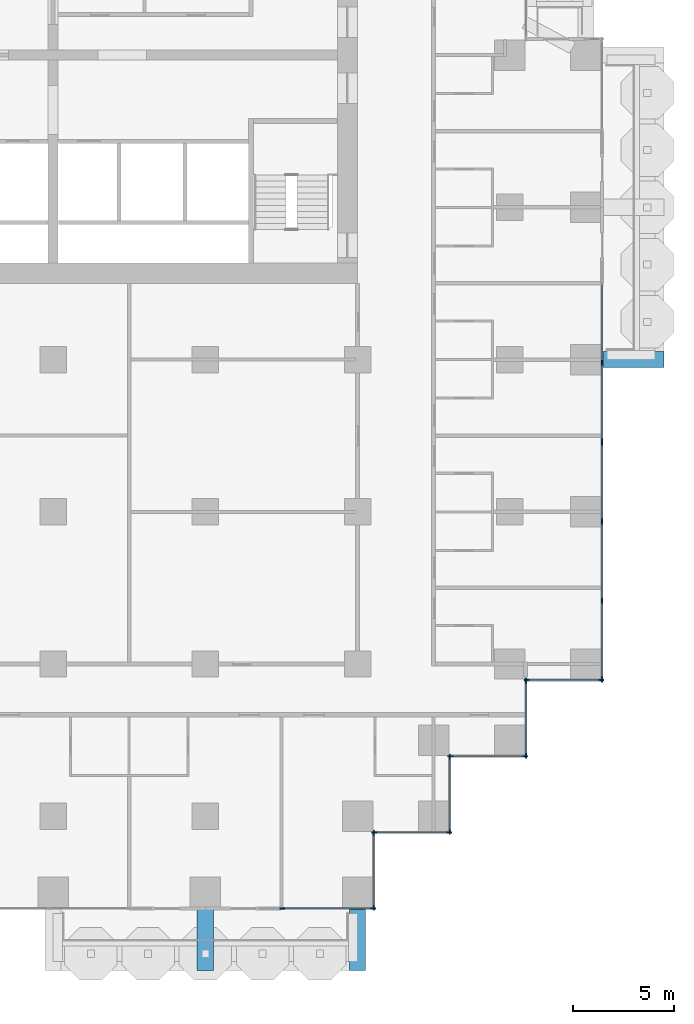
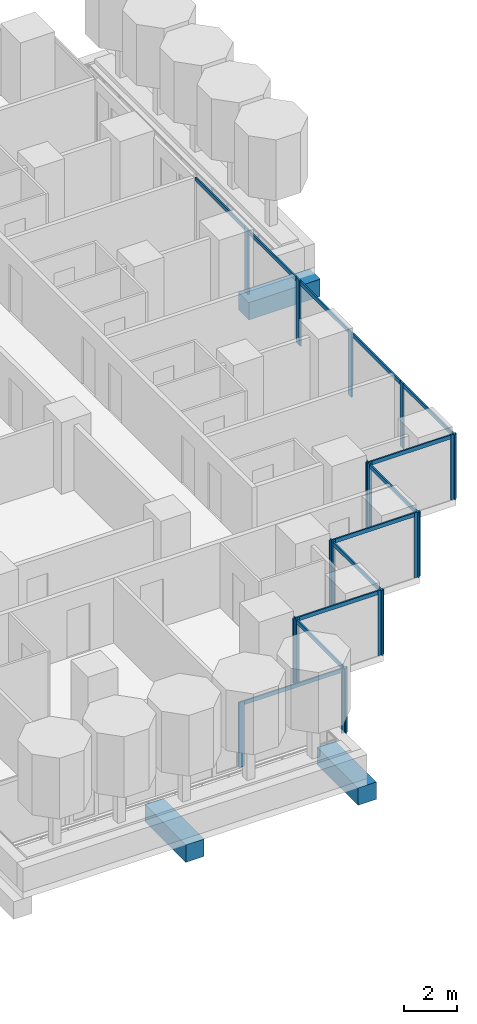
# One storey, part 4 of 19: 32 members, 3 beams, 9 elements without a shape of their own.
"""IFC4 building model written with IfcOpenShell, lengths in metres."""

from ifc_helpers import new_model, si_unit, direction, frame, origin, origin_2d, place, context, subcontext, project, spatial, rectangle, extrude, material, material_profile, profile_set, type_object, element, aggregate, save


model = new_model("IFC4")

# Units and contexts
model_context = context("Model", 3, precision=1e-05, world=origin(), true_north=direction((0.0, 1.0)))
body_context = subcontext(model_context, "Body", "Model", "MODEL_VIEW")
ifc_project = project(units=[si_unit("LENGTHUNIT", "METRE"), si_unit("AREAUNIT", "SQUARE_METRE"), si_unit("VOLUMEUNIT", "CUBIC_METRE"), si_unit("PLANEANGLEUNIT", "RADIAN"), si_unit("MASSUNIT", "GRAM", prefix="KILO")], contexts=[model_context])

# Site, building, storey
site_placement = place(None, origin())
site = spatial("IfcSite", under=ifc_project, at=site_placement, CompositionType="ELEMENT")
building_placement = place(site_placement, origin())
building = spatial("IfcBuilding", under=site, at=building_placement, Name="Pilkhan Gate Tower", CompositionType="ELEMENT")
storey_placement = place(building_placement, frame((0.0, 0.0, 59.300048828125)))
storey = spatial("IfcBuildingStorey", under=building, at=storey_placement, Name="L12", CompositionType="ELEMENT", Elevation=59.300048828125)

# Beams
ifc_material_1 = material(Name="Concrete C50/60", Category="concrete")
ifc_material_profile_1 = material_profile(ifc_material_1, rectangle(XDim=0.800048828125, YDim=0.800048828125, at=origin_2d()), Name="RC 800x800")
ifc_profile_set_1 = profile_set([ifc_material_profile_1], Name="Concrete C50/60")
beam_type = type_object("IfcBeamType", Name="Cantilever beam CB2 RC 800x800 C50/60", PredefinedType="BEAM", material=ifc_profile_set_1)
for number, where, z_axis, x_axis, name in (
    (1, (82.5, 40.5, -0.699951171875), (0.0, -1.0, 0.0), (1.0, 0.0, 0.0), "Balcony beam S.2 L12"),
    (2, (90.0, 40.5, -0.699951171875), (0.0, -1.0, 0.0), (1.0, 0.0, 0.0), "Balcony beam S.3 L12"),
    (3, (102.0, 67.5, -0.699951171875), (1.0, 0.0, 0.0), (0.0, 1.0, 0.0), "Balcony beam E.1 L12"),
):
    element("IfcBeam", number, at=place(storey_placement, frame(where, z_axis=z_axis, x_axis=x_axis)), inside=storey, type_object=beam_type, Name=name, PredefinedType="BEAM", context=body_context, shape_type="SweptSolid", body=[
        extrude(rectangle(XDim=0.800048828125, YDim=0.800048828125, at=origin_2d()), origin(), (0.0, 0.0, 1.0), 3.10009765625),
    ])

# Curtain wall, members
ifc_material_2 = material(Name="Pale anodised aluminium, clear low-iron double glazing", Category="aluminium")
curtain_wall_type = type_object("IfcCurtainWallType", Name="Hotel unitised curtain wall CW-H", PredefinedType="USERDEFINED", material=ifc_material_2)
curtain_wall_1_placement = place(storey_placement, origin())
curtain_wall_1 = element("IfcCurtainWall", 4, at=curtain_wall_1_placement, inside=storey, type_object=curtain_wall_type, Name="Hotel unitised curtain wall CW-H L12 E", ObjectType="UNITISED CURTAIN WALL", PredefinedType="USERDEFINED")
ifc_material_3 = material(Name="Pale anodised aluminium", Category="aluminium")
ifc_material_profile_2 = material_profile(ifc_material_3, rectangle(XDim=0.06494140625, YDim=0.25, at=origin_2d()), Name="Mullion 250x65")
ifc_profile_set_2 = profile_set([ifc_material_profile_2], Name="Pale anodised aluminium")
member_type_1 = type_object("IfcMemberType", Name="Mullion CW-H 250x65", PredefinedType="MULLION", material=ifc_profile_set_2)
member_1_placement = place(storey_placement, frame((102.044921875, 51.737548828125, 0.0), z_axis=(0.0, 0.0, 1.0), x_axis=(-1.0, 0.0, 0.0)))
member_1 = element("IfcMember", 5, at=member_1_placement, type_object=member_type_1, Name="CW-H mullion 1", PredefinedType="MULLION", context=body_context, shape_type="SweptSolid", body=[
    extrude(rectangle(XDim=0.06494140625, YDim=0.25, at=origin_2d()), origin(), (0.0, 0.0, 1.0), 3.0),
])
member_2_placement = place(storey_placement, frame((102.044921875, 55.614013671875, 0.0), z_axis=(0.0, 0.0, 1.0), x_axis=(-1.0, 0.0, 0.0)))
member_2 = element("IfcMember", 6, at=member_2_placement, type_object=member_type_1, Name="CW-H mullion 2", PredefinedType="MULLION", context=body_context, shape_type="SweptSolid", body=[
    extrude(rectangle(XDim=0.06494140625, YDim=0.25, at=origin_2d()), origin(), (0.0, 0.0, 1.0), 3.0),
])
member_3_placement = place(storey_placement, frame((102.044921875, 59.52294921875, 0.0), z_axis=(0.0, 0.0, 1.0), x_axis=(-1.0, 0.0, 0.0)))
member_3 = element("IfcMember", 7, at=member_3_placement, type_object=member_type_1, Name="CW-H mullion 3", PredefinedType="MULLION", context=body_context, shape_type="SweptSolid", body=[
    extrude(rectangle(XDim=0.06494140625, YDim=0.25, at=origin_2d()), origin(), (0.0, 0.0, 1.0), 3.0),
])
member_4_placement = place(storey_placement, frame((102.044921875, 63.3994140625, 0.0), z_axis=(0.0, 0.0, 1.0), x_axis=(-1.0, 0.0, 0.0)))
member_4 = element("IfcMember", 8, at=member_4_placement, type_object=member_type_1, Name="CW-H mullion 4", PredefinedType="MULLION", context=body_context, shape_type="SweptSolid", body=[
    extrude(rectangle(XDim=0.06494140625, YDim=0.25, at=origin_2d()), origin(), (0.0, 0.0, 1.0), 3.0),
])

curtain_wall_2_placement = place(storey_placement, origin())
curtain_wall_2 = element("IfcCurtainWall", 9, at=curtain_wall_2_placement, inside=storey, type_object=curtain_wall_type, Name="Hotel unitised curtain wall CW-H L12 E", ObjectType="UNITISED CURTAIN WALL", PredefinedType="USERDEFINED")
member_5_placement = place(storey_placement, frame((102.044921875, 63.464599609375, 0.0), z_axis=(0.0, 0.0, 1.0), x_axis=(-1.0, 0.0, 0.0)))
member_5 = element("IfcMember", 10, at=member_5_placement, type_object=member_type_1, Name="CW-H mullion 1", PredefinedType="MULLION", context=body_context, shape_type="SweptSolid", body=[
    extrude(rectangle(XDim=0.06494140625, YDim=0.25, at=origin_2d()), origin(), (0.0, 0.0, 1.0), 3.0),
])
member_6_placement = place(storey_placement, frame((102.044921875, 67.341064453125, 0.0), z_axis=(0.0, 0.0, 1.0), x_axis=(-1.0, 0.0, 0.0)))
member_6 = element("IfcMember", 11, at=member_6_placement, type_object=member_type_1, Name="CW-H mullion 2", PredefinedType="MULLION", context=body_context, shape_type="SweptSolid", body=[
    extrude(rectangle(XDim=0.06494140625, YDim=0.25, at=origin_2d()), origin(), (0.0, 0.0, 1.0), 3.0),
])

curtain_wall_3_placement = place(storey_placement, origin())
curtain_wall_3 = element("IfcCurtainWall", 12, at=curtain_wall_3_placement, inside=storey, type_object=curtain_wall_type, Name="Hotel unitised curtain wall CW-H L12 S", ObjectType="UNITISED CURTAIN WALL", PredefinedType="USERDEFINED")
member_7_placement = place(storey_placement, frame((86.282470703125, 40.455078125, 0.0), z_axis=(0.0, 0.0, 1.0), x_axis=(0.0, 1.0, 0.0)))
member_7 = element("IfcMember", 13, at=member_7_placement, type_object=member_type_1, Name="CW-H mullion 1", PredefinedType="MULLION", context=body_context, shape_type="SweptSolid", body=[
    extrude(rectangle(XDim=0.06494140625, YDim=0.25, at=origin_2d()), origin(), (0.0, 0.0, 1.0), 3.0),
])
member_8_placement = place(storey_placement, frame((90.762451171875, 40.455078125, 0.0), z_axis=(0.0, 0.0, 1.0), x_axis=(0.0, 1.0, 0.0)))
member_8 = element("IfcMember", 14, at=member_8_placement, type_object=member_type_1, Name="CW-H mullion 2", PredefinedType="MULLION", context=body_context, shape_type="SweptSolid", body=[
    extrude(rectangle(XDim=0.06494140625, YDim=0.25, at=origin_2d()), origin(), (0.0, 0.0, 1.0), 3.0),
])

curtain_wall_4_placement = place(storey_placement, origin())
curtain_wall_4 = element("IfcCurtainWall", 15, at=curtain_wall_4_placement, inside=storey, type_object=curtain_wall_type, Name="Hotel unitised curtain wall CW-H L12 E", ObjectType="UNITISED CURTAIN WALL", PredefinedType="USERDEFINED")
member_9_placement = place(storey_placement, frame((90.794921875, 40.487548828125, 0.0), z_axis=(0.0, 0.0, 1.0), x_axis=(-1.0, 0.0, 0.0)))
member_9 = element("IfcMember", 16, at=member_9_placement, type_object=member_type_1, Name="CW-H mullion 1", PredefinedType="MULLION", context=body_context, shape_type="SweptSolid", body=[
    extrude(rectangle(XDim=0.06494140625, YDim=0.25, at=origin_2d()), origin(), (0.0, 0.0, 1.0), 3.0),
])
member_10_placement = place(storey_placement, frame((90.794921875, 44.172607421875, 0.0), z_axis=(0.0, 0.0, 1.0), x_axis=(-1.0, 0.0, 0.0)))
member_10 = element("IfcMember", 17, at=member_10_placement, type_object=member_type_1, Name="CW-H mullion 2", PredefinedType="MULLION", context=body_context, shape_type="SweptSolid", body=[
    extrude(rectangle(XDim=0.06494140625, YDim=0.25, at=origin_2d()), origin(), (0.0, 0.0, 1.0), 3.0),
])

curtain_wall_5_placement = place(storey_placement, origin())
curtain_wall_5 = element("IfcCurtainWall", 18, at=curtain_wall_5_placement, inside=storey, type_object=curtain_wall_type, Name="Hotel unitised curtain wall CW-H L12 S", ObjectType="UNITISED CURTAIN WALL", PredefinedType="USERDEFINED")
member_11_placement = place(storey_placement, frame((90.827392578125, 44.205078125, 0.0), z_axis=(0.0, 0.0, 1.0), x_axis=(0.0, 1.0, 0.0)))
member_11 = element("IfcMember", 19, at=member_11_placement, type_object=member_type_1, Name="CW-H mullion 1", PredefinedType="MULLION", context=body_context, shape_type="SweptSolid", body=[
    extrude(rectangle(XDim=0.06494140625, YDim=0.25, at=origin_2d()), origin(), (0.0, 0.0, 1.0), 3.0),
])
member_12_placement = place(storey_placement, frame((94.512451171875, 44.205078125, 0.0), z_axis=(0.0, 0.0, 1.0), x_axis=(0.0, 1.0, 0.0)))
member_12 = element("IfcMember", 20, at=member_12_placement, type_object=member_type_1, Name="CW-H mullion 2", PredefinedType="MULLION", context=body_context, shape_type="SweptSolid", body=[
    extrude(rectangle(XDim=0.06494140625, YDim=0.25, at=origin_2d()), origin(), (0.0, 0.0, 1.0), 3.0),
])

curtain_wall_6_placement = place(storey_placement, origin())
curtain_wall_6 = element("IfcCurtainWall", 21, at=curtain_wall_6_placement, inside=storey, type_object=curtain_wall_type, Name="Hotel unitised curtain wall CW-H L12 E", ObjectType="UNITISED CURTAIN WALL", PredefinedType="USERDEFINED")
member_13_placement = place(storey_placement, frame((94.544921875, 44.237548828125, 0.0), z_axis=(0.0, 0.0, 1.0), x_axis=(-1.0, 0.0, 0.0)))
member_13 = element("IfcMember", 22, at=member_13_placement, type_object=member_type_1, Name="CW-H mullion 1", PredefinedType="MULLION", context=body_context, shape_type="SweptSolid", body=[
    extrude(rectangle(XDim=0.06494140625, YDim=0.25, at=origin_2d()), origin(), (0.0, 0.0, 1.0), 3.0),
])
member_14_placement = place(storey_placement, frame((94.544921875, 47.922607421875, 0.0), z_axis=(0.0, 0.0, 1.0), x_axis=(-1.0, 0.0, 0.0)))
member_14 = element("IfcMember", 23, at=member_14_placement, type_object=member_type_1, Name="CW-H mullion 2", PredefinedType="MULLION", context=body_context, shape_type="SweptSolid", body=[
    extrude(rectangle(XDim=0.06494140625, YDim=0.25, at=origin_2d()), origin(), (0.0, 0.0, 1.0), 3.0),
])

curtain_wall_7_placement = place(storey_placement, origin())
curtain_wall_7 = element("IfcCurtainWall", 24, at=curtain_wall_7_placement, inside=storey, type_object=curtain_wall_type, Name="Hotel unitised curtain wall CW-H L12 S", ObjectType="UNITISED CURTAIN WALL", PredefinedType="USERDEFINED")
member_15_placement = place(storey_placement, frame((94.577392578125, 47.955078125, 0.0), z_axis=(0.0, 0.0, 1.0), x_axis=(0.0, 1.0, 0.0)))
member_15 = element("IfcMember", 25, at=member_15_placement, type_object=member_type_1, Name="CW-H mullion 1", PredefinedType="MULLION", context=body_context, shape_type="SweptSolid", body=[
    extrude(rectangle(XDim=0.06494140625, YDim=0.25, at=origin_2d()), origin(), (0.0, 0.0, 1.0), 3.0),
])
member_16_placement = place(storey_placement, frame((98.262451171875, 47.955078125, 0.0), z_axis=(0.0, 0.0, 1.0), x_axis=(0.0, 1.0, 0.0)))
member_16 = element("IfcMember", 26, at=member_16_placement, type_object=member_type_1, Name="CW-H mullion 2", PredefinedType="MULLION", context=body_context, shape_type="SweptSolid", body=[
    extrude(rectangle(XDim=0.06494140625, YDim=0.25, at=origin_2d()), origin(), (0.0, 0.0, 1.0), 3.0),
])

curtain_wall_8_placement = place(storey_placement, origin())
curtain_wall_8 = element("IfcCurtainWall", 27, at=curtain_wall_8_placement, inside=storey, type_object=curtain_wall_type, Name="Hotel unitised curtain wall CW-H L12 E", ObjectType="UNITISED CURTAIN WALL", PredefinedType="USERDEFINED")
member_17_placement = place(storey_placement, frame((98.294921875, 47.987548828125, 0.0), z_axis=(0.0, 0.0, 1.0), x_axis=(-1.0, 0.0, 0.0)))
member_17 = element("IfcMember", 28, at=member_17_placement, type_object=member_type_1, Name="CW-H mullion 1", PredefinedType="MULLION", context=body_context, shape_type="SweptSolid", body=[
    extrude(rectangle(XDim=0.06494140625, YDim=0.25, at=origin_2d()), origin(), (0.0, 0.0, 1.0), 3.0),
])
member_18_placement = place(storey_placement, frame((98.294921875, 51.672607421875, 0.0), z_axis=(0.0, 0.0, 1.0), x_axis=(-1.0, 0.0, 0.0)))
member_18 = element("IfcMember", 29, at=member_18_placement, type_object=member_type_1, Name="CW-H mullion 2", PredefinedType="MULLION", context=body_context, shape_type="SweptSolid", body=[
    extrude(rectangle(XDim=0.06494140625, YDim=0.25, at=origin_2d()), origin(), (0.0, 0.0, 1.0), 3.0),
])

curtain_wall_9_placement = place(storey_placement, origin())
curtain_wall_9 = element("IfcCurtainWall", 30, at=curtain_wall_9_placement, inside=storey, type_object=curtain_wall_type, Name="Hotel unitised curtain wall CW-H L12 S", ObjectType="UNITISED CURTAIN WALL", PredefinedType="USERDEFINED")
member_19_placement = place(storey_placement, frame((98.327392578125, 51.705078125, 0.0), z_axis=(0.0, 0.0, 1.0), x_axis=(0.0, 1.0, 0.0)))
member_19 = element("IfcMember", 31, at=member_19_placement, type_object=member_type_1, Name="CW-H mullion 1", PredefinedType="MULLION", context=body_context, shape_type="SweptSolid", body=[
    extrude(rectangle(XDim=0.06494140625, YDim=0.25, at=origin_2d()), origin(), (0.0, 0.0, 1.0), 3.0),
])
member_20_placement = place(storey_placement, frame((102.012451171875, 51.705078125, 0.0), z_axis=(0.0, 0.0, 1.0), x_axis=(0.0, 1.0, 0.0)))
member_20 = element("IfcMember", 32, at=member_20_placement, type_object=member_type_1, Name="CW-H mullion 2", PredefinedType="MULLION", context=body_context, shape_type="SweptSolid", body=[
    extrude(rectangle(XDim=0.06494140625, YDim=0.25, at=origin_2d()), origin(), (0.0, 0.0, 1.0), 3.0),
])

# Member
ifc_material_profile_3 = material_profile(ifc_material_3, rectangle(XDim=0.06494140625, YDim=0.179931640625, at=origin_2d()), Name="Transom 180x65")
ifc_profile_set_3 = profile_set([ifc_material_profile_3], Name="Pale anodised aluminium")
member_type_2 = type_object("IfcMemberType", Name="Transom CW-H 180x65", PredefinedType="USERDEFINED", material=ifc_profile_set_3)
member_21_placement = place(storey_placement, frame((102.044921875, 51.77001953125, 2.909912109375), z_axis=(0.0, 1.0, 0.0), x_axis=(-1.0, 0.0, 0.0)))
member_21 = element("IfcMember", 33, at=member_21_placement, type_object=member_type_2, Name="CW-H transom 1", ObjectType="TRANSOM", PredefinedType="USERDEFINED", context=body_context, shape_type="SweptSolid", body=[
    extrude(rectangle(XDim=0.06494140625, YDim=0.179931640625, at=origin_2d()), origin(), (0.0, 0.0, 1.0), 3.8115234375),
])

member_22_placement = place(storey_placement, frame((102.044921875, 55.646484375, 2.909912109375), z_axis=(0.0, 1.0, 0.0), x_axis=(-1.0, 0.0, 0.0)))
member_22 = element("IfcMember", 34, at=member_22_placement, type_object=member_type_2, Name="CW-H transom 2", ObjectType="TRANSOM", PredefinedType="USERDEFINED", context=body_context, shape_type="SweptSolid", body=[
    extrude(rectangle(XDim=0.06494140625, YDim=0.179931640625, at=origin_2d()), origin(), (0.0, 0.0, 1.0), 3.843994140625),
])

member_23_placement = place(storey_placement, frame((102.044921875, 59.555419921875, 2.909912109375), z_axis=(0.0, 1.0, 0.0), x_axis=(-1.0, 0.0, 0.0)))
member_23 = element("IfcMember", 35, at=member_23_placement, type_object=member_type_2, Name="CW-H transom 3", ObjectType="TRANSOM", PredefinedType="USERDEFINED", context=body_context, shape_type="SweptSolid", body=[
    extrude(rectangle(XDim=0.06494140625, YDim=0.179931640625, at=origin_2d()), origin(), (0.0, 0.0, 1.0), 3.8115234375),
])

aggregate(curtain_wall_1, [member_1, member_2, member_3, member_4, member_21, member_22, member_23])

member_24_placement = place(storey_placement, frame((102.044921875, 63.4970703125, 2.909912109375), z_axis=(0.0, 1.0, 0.0), x_axis=(-1.0, 0.0, 0.0)))
member_24 = element("IfcMember", 36, at=member_24_placement, type_object=member_type_2, Name="CW-H transom 1", ObjectType="TRANSOM", PredefinedType="USERDEFINED", context=body_context, shape_type="SweptSolid", body=[
    extrude(rectangle(XDim=0.06494140625, YDim=0.179931640625, at=origin_2d()), origin(), (0.0, 0.0, 1.0), 3.8115234375),
])

member_25_placement = place(storey_placement, frame((102.044921875, 67.37353515625, 2.909912109375), z_axis=(0.0, 1.0, 0.0), x_axis=(-1.0, 0.0, 0.0)))
member_25 = element("IfcMember", 37, at=member_25_placement, type_object=member_type_2, Name="CW-H transom 2", ObjectType="TRANSOM", PredefinedType="USERDEFINED", context=body_context, shape_type="SweptSolid", body=[
    extrude(rectangle(XDim=0.06494140625, YDim=0.179931640625, at=origin_2d()), origin(), (0.0, 0.0, 1.0), 3.8115234375),
])

aggregate(curtain_wall_2, [member_5, member_6, member_24, member_25])

member_26_placement = place(storey_placement, frame((86.31494140625, 40.455078125, 2.909912109375), z_axis=(1.0, 0.0, 0.0), x_axis=(0.0, 1.0, 0.0)))
member_26 = element("IfcMember", 38, at=member_26_placement, type_object=member_type_2, Name="CW-H transom 1", ObjectType="TRANSOM", PredefinedType="USERDEFINED", context=body_context, shape_type="SweptSolid", body=[
    extrude(rectangle(XDim=0.06494140625, YDim=0.179931640625, at=origin_2d()), origin(), (0.0, 0.0, 1.0), 4.4150390625),
])

aggregate(curtain_wall_3, [member_7, member_8, member_26])

member_27_placement = place(storey_placement, frame((90.794921875, 40.52001953125, 2.909912109375), z_axis=(0.0, 1.0, 0.0), x_axis=(-1.0, 0.0, 0.0)))
member_27 = element("IfcMember", 39, at=member_27_placement, type_object=member_type_2, Name="CW-H transom 1", ObjectType="TRANSOM", PredefinedType="USERDEFINED", context=body_context, shape_type="SweptSolid", body=[
    extrude(rectangle(XDim=0.06494140625, YDim=0.179931640625, at=origin_2d()), origin(), (0.0, 0.0, 1.0), 3.619873046875),
])

aggregate(curtain_wall_4, [member_9, member_10, member_27])

member_28_placement = place(storey_placement, frame((90.860107421875, 44.205078125, 2.909912109375), z_axis=(1.0, 0.0, 0.0), x_axis=(0.0, 1.0, 0.0)))
member_28 = element("IfcMember", 40, at=member_28_placement, type_object=member_type_2, Name="CW-H transom 1", ObjectType="TRANSOM", PredefinedType="USERDEFINED", context=body_context, shape_type="SweptSolid", body=[
    extrude(rectangle(XDim=0.06494140625, YDim=0.179931640625, at=origin_2d()), origin(), (0.0, 0.0, 1.0), 3.619873046875),
])

aggregate(curtain_wall_5, [member_11, member_12, member_28])

member_29_placement = place(storey_placement, frame((94.544921875, 44.27001953125, 2.909912109375), z_axis=(0.0, 1.0, 0.0), x_axis=(-1.0, 0.0, 0.0)))
member_29 = element("IfcMember", 41, at=member_29_placement, type_object=member_type_2, Name="CW-H transom 1", ObjectType="TRANSOM", PredefinedType="USERDEFINED", context=body_context, shape_type="SweptSolid", body=[
    extrude(rectangle(XDim=0.06494140625, YDim=0.179931640625, at=origin_2d()), origin(), (0.0, 0.0, 1.0), 3.619873046875),
])

aggregate(curtain_wall_6, [member_13, member_14, member_29])

member_30_placement = place(storey_placement, frame((94.610107421875, 47.955078125, 2.909912109375), z_axis=(1.0, 0.0, 0.0), x_axis=(0.0, 1.0, 0.0)))
member_30 = element("IfcMember", 42, at=member_30_placement, type_object=member_type_2, Name="CW-H transom 1", ObjectType="TRANSOM", PredefinedType="USERDEFINED", context=body_context, shape_type="SweptSolid", body=[
    extrude(rectangle(XDim=0.06494140625, YDim=0.179931640625, at=origin_2d()), origin(), (0.0, 0.0, 1.0), 3.619873046875),
])

aggregate(curtain_wall_7, [member_15, member_16, member_30])

member_31_placement = place(storey_placement, frame((98.294921875, 48.02001953125, 2.909912109375), z_axis=(0.0, 1.0, 0.0), x_axis=(-1.0, 0.0, 0.0)))
member_31 = element("IfcMember", 43, at=member_31_placement, type_object=member_type_2, Name="CW-H transom 1", ObjectType="TRANSOM", PredefinedType="USERDEFINED", context=body_context, shape_type="SweptSolid", body=[
    extrude(rectangle(XDim=0.06494140625, YDim=0.179931640625, at=origin_2d()), origin(), (0.0, 0.0, 1.0), 3.619873046875),
])

aggregate(curtain_wall_8, [member_17, member_18, member_31])

member_32_placement = place(storey_placement, frame((98.360107421875, 51.705078125, 2.909912109375), z_axis=(1.0, 0.0, 0.0), x_axis=(0.0, 1.0, 0.0)))
member_32 = element("IfcMember", 44, at=member_32_placement, type_object=member_type_2, Name="CW-H transom 1", ObjectType="TRANSOM", PredefinedType="USERDEFINED", context=body_context, shape_type="SweptSolid", body=[
    extrude(rectangle(XDim=0.06494140625, YDim=0.179931640625, at=origin_2d()), origin(), (0.0, 0.0, 1.0), 3.619873046875),
])

aggregate(curtain_wall_9, [member_19, member_20, member_32])

save(model, "model.ifc")
